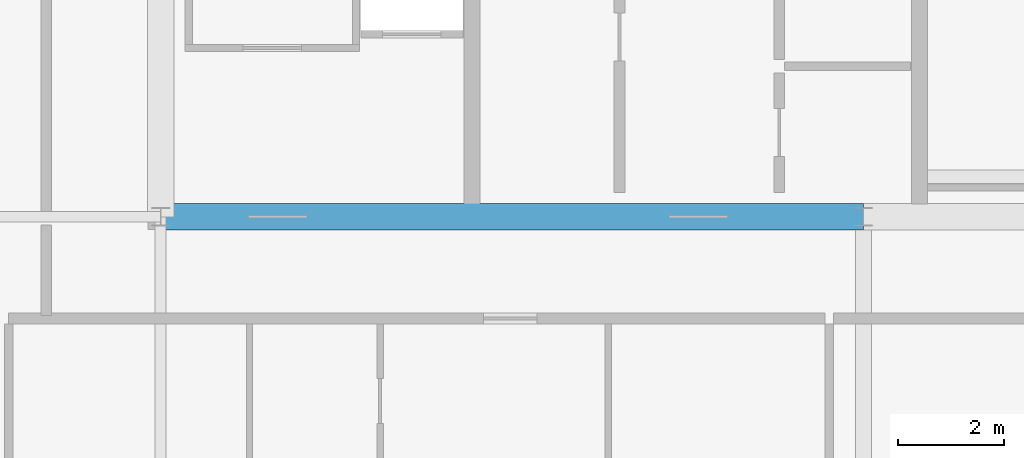
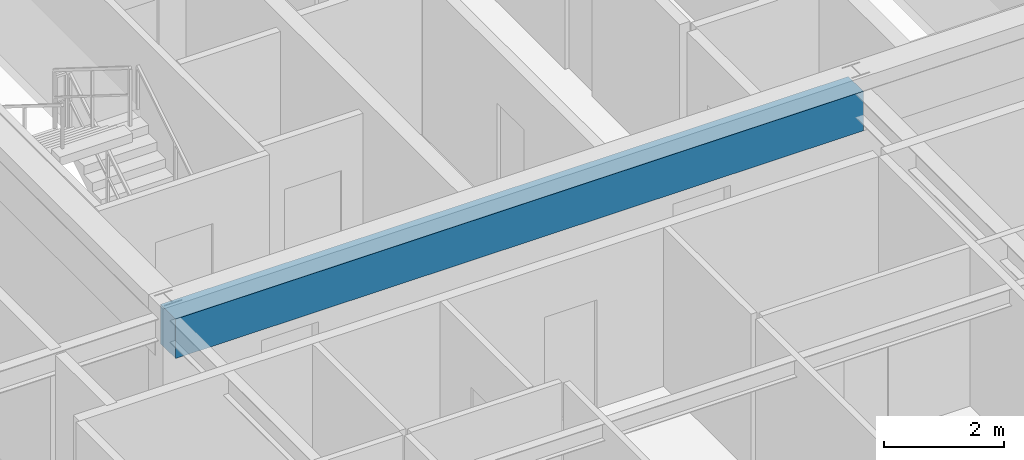
# One storey, part 7 of 35: 1 beam.
"""IFC4 building model written with IfcOpenShell, lengths in metres."""

from ifc_helpers import new_model, si_unit, direction, frame, origin, origin_2d, place, context, subcontext, project, spatial, rectangle, extrude, source, transform, mapped, material, material_profile, profile_set, type_object, element, save


model = new_model("IFC4")

# Units and contexts
model_context = context("Model", 3, precision=1e-05, world=origin(), true_north=direction((0.0, 1.0)))
body_context = subcontext(model_context, "Body", "Model", "MODEL_VIEW")
ifc_project = project(units=[si_unit("LENGTHUNIT", "METRE"), si_unit("AREAUNIT", "SQUARE_METRE"), si_unit("VOLUMEUNIT", "CUBIC_METRE"), si_unit("PLANEANGLEUNIT", "RADIAN"), si_unit("MASSUNIT", "GRAM", prefix="KILO"), si_unit("THERMODYNAMICTEMPERATUREUNIT", "KELVIN"), si_unit("POWERUNIT", "WATT")], contexts=[model_context])

# Site, building, storey
site_placement = place(None, origin())
site = spatial("IfcSite", under=ifc_project, at=site_placement, CompositionType="ELEMENT")
building_placement = place(site_placement, origin())
building = spatial("IfcBuilding", under=site, at=building_placement, Name="Yuzanri Waterfront Tower", CompositionType="ELEMENT")
storey_placement = place(building_placement, frame((0.0, 0.0, 303.10009765625)))
storey = spatial("IfcBuildingStorey", under=building, at=storey_placement, Name="L81", CompositionType="ELEMENT", Elevation=303.10009765625)

# Beam
ifc_material = material(Name="Concrete C50", Category="concrete")
ifc_material_profile = material_profile(ifc_material, rectangle(XDim=0.5, YDim=0.800048828125, at=origin_2d()), Name="RC 500x800")
ifc_profile_set = profile_set([ifc_material_profile], Name="Concrete C50")
beam_type = type_object("IfcBeamType", Name="Core Coupling Lintel Concrete C50 500x800", PredefinedType="LINTEL", material=ifc_profile_set)
shared_shape = source(origin(), body_context, "Body", "SweptSolid", [
    extrude(rectangle(XDim=0.5, YDim=0.800048828125, at=origin_2d()), origin(), (0.0, 0.0, 1.0), 13.199951171875),
])
beam_placement = place(storey_placement, frame((23.800048828125, 19.39990234375, 2.81982421875), z_axis=(1.0, 0.0, 0.0), x_axis=(0.0, 1.0, 0.0)))
element("IfcBeam", 1, at=beam_placement, inside=storey, type_object=beam_type, Name="L81 Core Tie Beam CS1", PredefinedType="LINTEL", context=body_context, shape_type="MappedRepresentation", body=[
    mapped(shared_shape, transform((0.0, 0.0, 0.0), scale=1.0)),
])

save(model, "model.ifc")
